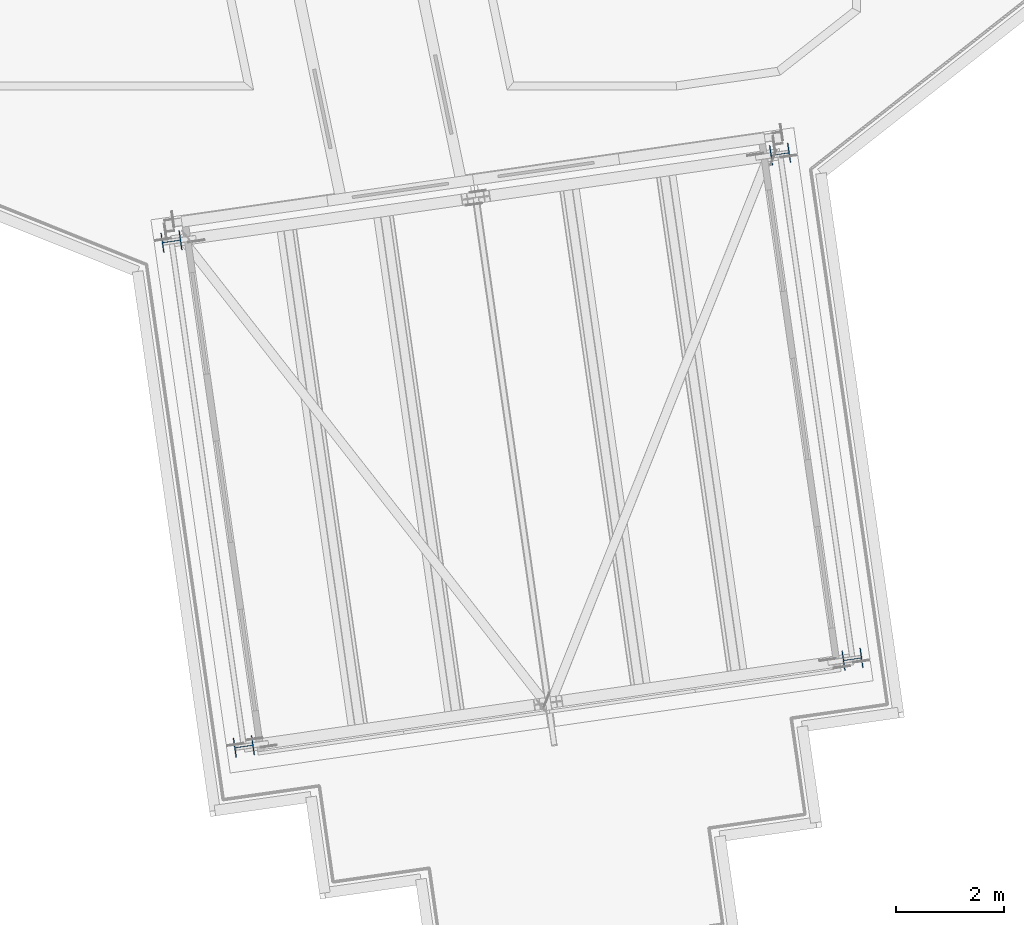
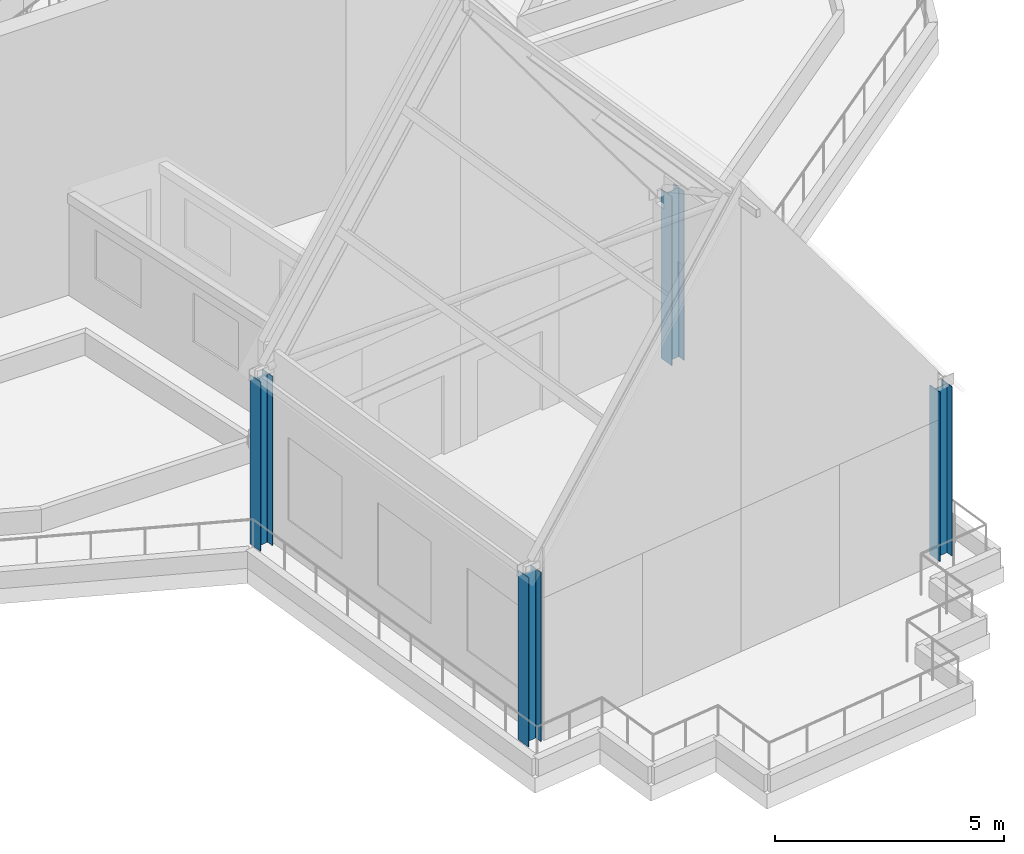
# One storey, part 1 of 32: 4 columns.
"""IFC4 building model written with IfcOpenShell, lengths in metres."""

from ifc_helpers import new_model, si_unit, direction, frame, origin, origin_2d, place, context, subcontext, project, spatial, i_section, extrude, material, material_profile, profile_set, type_object, element, save


model = new_model("IFC4")

# Units and contexts
model_context = context("Model", 3, precision=1e-05, world=origin(), true_north=direction((0.0, 1.0)))
body_context = subcontext(model_context, "Body", "Model", "MODEL_VIEW")
ifc_project = project(units=[si_unit("LENGTHUNIT", "METRE"), si_unit("AREAUNIT", "SQUARE_METRE"), si_unit("VOLUMEUNIT", "CUBIC_METRE"), si_unit("PLANEANGLEUNIT", "RADIAN"), si_unit("MASSUNIT", "GRAM", prefix="KILO")], contexts=[model_context])

# Site, building, storey
site_placement = place(None, origin())
site = spatial("IfcSite", under=ifc_project, at=site_placement, CompositionType="ELEMENT")
building_placement = place(site_placement, origin())
building = spatial("IfcBuilding", under=site, at=building_placement, Name="Verdalira Terraces Hotel", CompositionType="ELEMENT")
storey_placement = place(building_placement, frame((0.0, 0.0, 315.0)))
storey = spatial("IfcBuildingStorey", under=building, at=storey_placement, Name="L78", CompositionType="ELEMENT", Elevation=315.0)

# Columns
ifc_material = material(Name="Steel ASTM A992 Grade 50", Category="steel")
ifc_material_profile = material_profile(ifc_material, i_section(OverallWidth=0.368408, OverallDepth=0.355713, WebThickness=0.01123, FlangeThickness=0.018066, FilletRadius=0.015137, at=origin_2d()), Name="W14X90")
ifc_profile_set = profile_set([ifc_material_profile], Name="Steel ASTM A992 Grade 50")
column_type = type_object("IfcColumnType", Name="Gable frame column W14X90", PredefinedType="COLUMN", material=ifc_profile_set)
for number, where, z_axis, x_axis, name in (
    (1, (9.011719, -22.689697, 0.0), (0.0, 0.0, 1.0), (0.141937905, -0.989875563, 0.0), "Gable frame column G2-1a"),
    (2, (-2.272705, -24.307861, 0.0), (0.0, 0.0, 1.0), (0.141937905, -0.989875563, 0.0), "Gable frame column G2-1b"),
    (3, (10.354492, -32.054688, 0.0), (0.0, 0.0, 1.0), (0.141937905, -0.989875563, 0.0), "Gable frame column G2-2a"),
    (4, (-0.929932, -33.672852, 0.0), (0.0, 0.0, 1.0), (0.141937905, -0.989875563, 0.0), "Gable frame column G2-2b"),
):
    element("IfcColumn", number, at=place(storey_placement, frame(where, z_axis=z_axis, x_axis=x_axis)), inside=storey, type_object=column_type, Name=name, PredefinedType="COLUMN", context=body_context, shape_type="SweptSolid", body=[
        extrude(i_section(OverallWidth=0.368408, OverallDepth=0.355713, WebThickness=0.01123, FlangeThickness=0.018066, FilletRadius=0.015137, at=origin_2d()), origin(), (0.0, 0.0, 1.0), 4.5),
    ])

save(model, "model.ifc")
